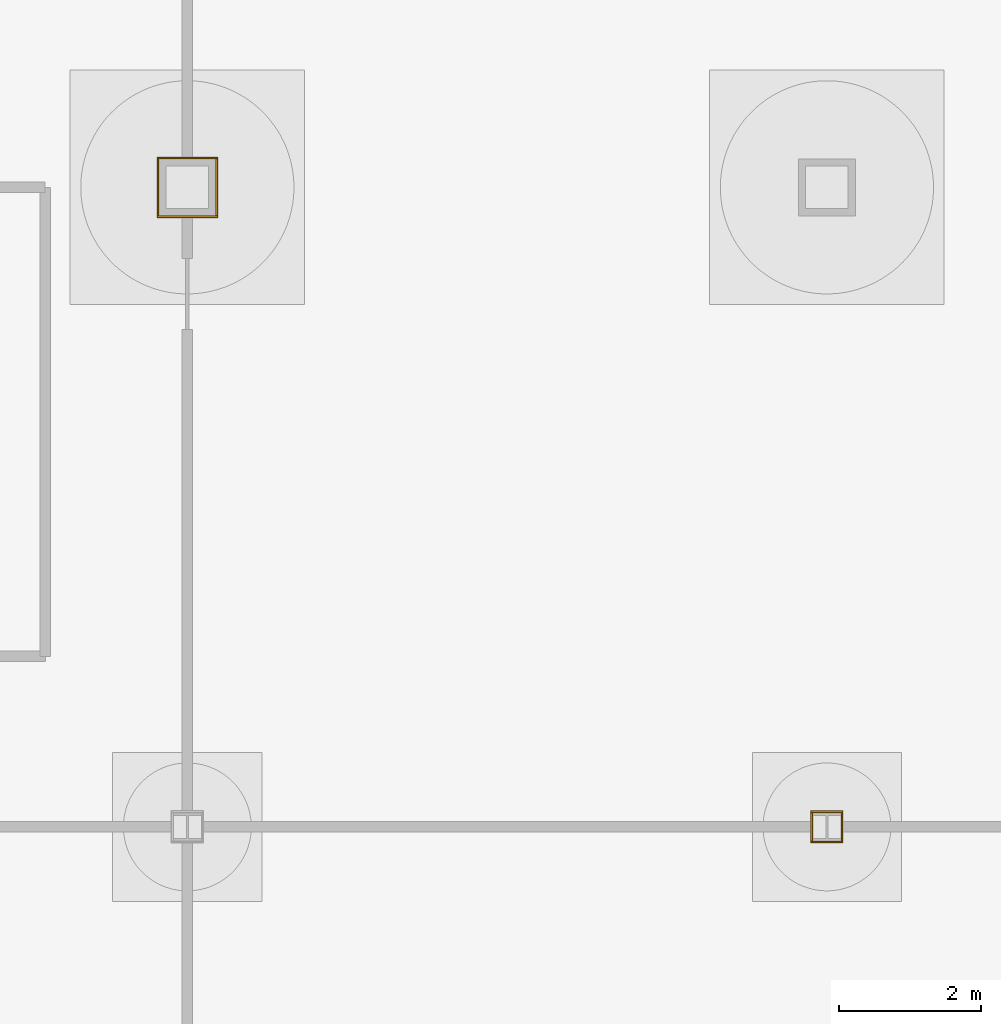
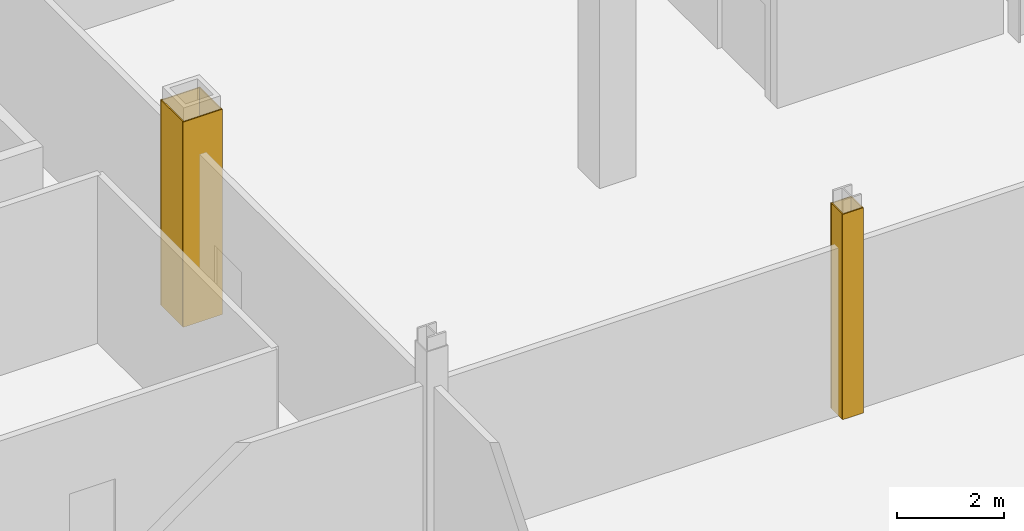
# One storey, part 19 of 28: 8 coverings.
"""IFC4 building model written with IfcOpenShell, lengths in metres."""

from ifc_helpers import new_model, si_unit, direction, frame, origin, origin_2d, place, context, subcontext, project, spatial, rectangle, extrude, material, layer, layer_set, type_object, element, save


model = new_model("IFC4")

# Units and contexts
model_context = context("Model", 3, precision=1e-05, world=origin(), true_north=direction((0.0, 1.0)))
body_context = subcontext(model_context, "Body", "Model", "MODEL_VIEW")
ifc_project = project(units=[si_unit("LENGTHUNIT", "METRE"), si_unit("AREAUNIT", "SQUARE_METRE"), si_unit("VOLUMEUNIT", "CUBIC_METRE"), si_unit("PLANEANGLEUNIT", "RADIAN"), si_unit("MASSUNIT", "GRAM", prefix="KILO")], contexts=[model_context])

# Site, building, storey
site_placement = place(None, origin())
site = spatial("IfcSite", under=ifc_project, at=site_placement, CompositionType="ELEMENT")
building_placement = place(site_placement, origin())
building = spatial("IfcBuilding", under=site, at=building_placement, Name="Loomwork Tower", CompositionType="ELEMENT")
storey_placement = place(building_placement, frame((0.0, 0.0, -10.5)))
storey = spatial("IfcBuildingStorey", under=building, at=storey_placement, Name="B2", CompositionType="ELEMENT", Elevation=-10.5)

# Coverings
ifc_material = material(Name="Two-hour fire-rated gypsum board casing")
ifc_layer = layer(ifc_material, 0.02490234375)
ifc_layer_set = layer_set([ifc_layer], Name="Column fire casing 25")
covering_type = type_object("IfcCoveringType", Name="Column fire casing 25", PredefinedType="CLADDING", material=ifc_layer_set)
for number, where, z_axis, x_axis, name in (
    (1, (45.0, 0.41259765625, 0.0), (0.0, 0.0, 1.0), (1.0, 0.0, 0.0), "Column casing 45 0 B2"),
    (2, (45.0, -0.41259765625, 0.0), (0.0, 0.0, 1.0), (1.0, 0.0, 0.0), "Column casing 45 0 B2"),
):
    element("IfcCovering", number, at=place(storey_placement, frame(where, z_axis=z_axis, x_axis=x_axis)), inside=storey, type_object=covering_type, Name=name, PredefinedType="CLADDING", context=body_context, shape_type="SweptSolid", body=[
        extrude(rectangle(XDim=0.85009765625, YDim=0.02490234375, at=origin_2d()), origin(), (0.0, 0.0, 1.0), 4.699951171875),
    ])
for number, where, z_axis, x_axis, name in (
    (3, (45.41259765625, 0.0, 0.0), (0.0, 0.0, 1.0), (1.0, 0.0, 0.0), "Column casing 45 0 B2"),
    (4, (44.58740234375, 0.0, 0.0), (0.0, 0.0, 1.0), (1.0, 0.0, 0.0), "Column casing 45 0 B2"),
):
    element("IfcCovering", number, at=place(storey_placement, frame(where, z_axis=z_axis, x_axis=x_axis)), inside=storey, type_object=covering_type, Name=name, PredefinedType="CLADDING", context=body_context, shape_type="SweptSolid", body=[
        extrude(rectangle(XDim=0.02490234375, YDim=0.800048828125, at=origin_2d()), origin(), (0.0, 0.0, 1.0), 4.699951171875),
    ])
for number, where, z_axis, x_axis, name in (
    (5, (54.0, -8.7880859375, 0.0), (0.0, 0.0, 1.0), (1.0, 0.0, 0.0), "Column casing 54 -9 B2"),
    (6, (54.0, -9.2119140625, 0.0), (0.0, 0.0, 1.0), (1.0, 0.0, 0.0), "Column casing 54 -9 B2"),
):
    element("IfcCovering", number, at=place(storey_placement, frame(where, z_axis=z_axis, x_axis=x_axis)), inside=storey, type_object=covering_type, Name=name, PredefinedType="CLADDING", context=body_context, shape_type="SweptSolid", body=[
        extrude(rectangle(XDim=0.451416015625, YDim=0.02490234375, at=origin_2d()), origin(), (0.0, 0.0, 1.0), 4.699951171875),
    ])
for number, where, z_axis, x_axis, name in (
    (7, (54.213134765625, -9.0, 0.0), (0.0, 0.0, 1.0), (1.0, 0.0, 0.0), "Column casing 54 -9 B2"),
    (8, (53.786865234375, -9.0, 0.0), (0.0, 0.0, 1.0), (1.0, 0.0, 0.0), "Column casing 54 -9 B2"),
):
    element("IfcCovering", number, at=place(storey_placement, frame(where, z_axis=z_axis, x_axis=x_axis)), inside=storey, type_object=covering_type, Name=name, PredefinedType="CLADDING", context=body_context, shape_type="SweptSolid", body=[
        extrude(rectangle(XDim=0.02490234375, YDim=0.398681640625, at=origin_2d()), origin(), (0.0, 0.0, 1.0), 4.699951171875),
    ])

save(model, "model.ifc")
